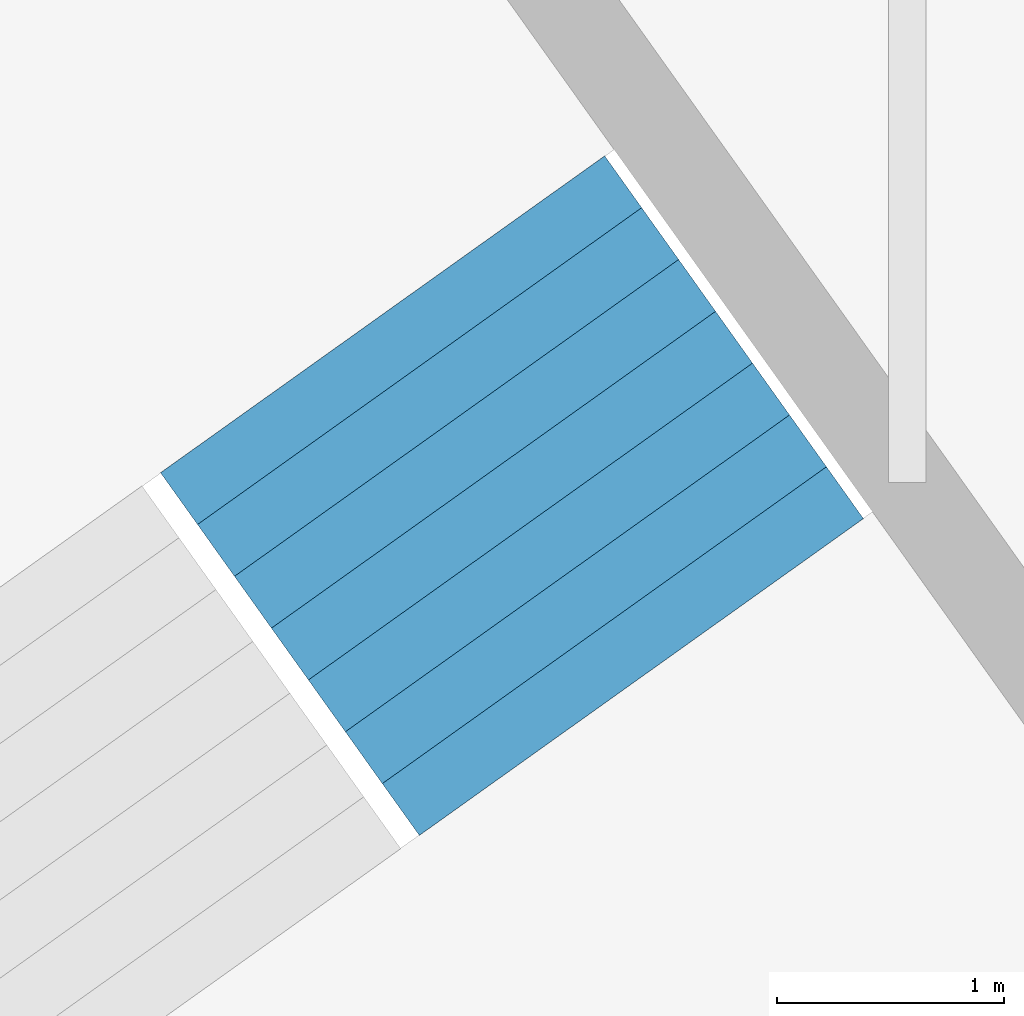
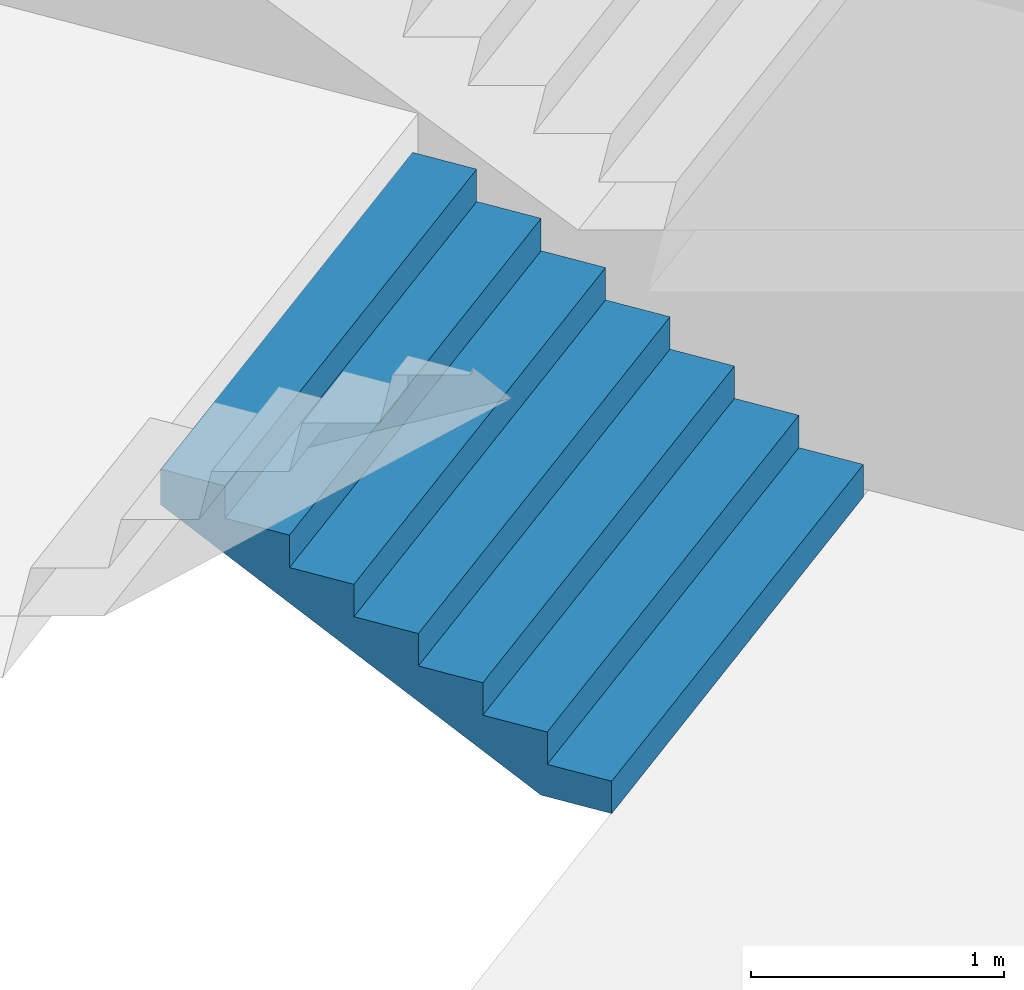
# One storey, part 43 of 73: 1 stair flight, 1 element without a shape of its own.
"""IFC4 building model written with IfcOpenShell, lengths in metres."""

from ifc_helpers import new_model, si_unit, direction, frame, origin, place, context, subcontext, project, spatial, triangles, material, type_object, element, aggregate, save


model = new_model("IFC4")

# Units and contexts
model_context = context("Model", 3, precision=1e-05, world=origin(), true_north=direction((0.0, 1.0)))
body_context = subcontext(model_context, "Body", "Model", "MODEL_VIEW")
ifc_project = project(units=[si_unit("LENGTHUNIT", "METRE"), si_unit("AREAUNIT", "SQUARE_METRE"), si_unit("VOLUMEUNIT", "CUBIC_METRE"), si_unit("PLANEANGLEUNIT", "RADIAN"), si_unit("MASSUNIT", "GRAM", prefix="KILO")], contexts=[model_context])

# Site, building, storey
site_placement = place(None, origin())
site = spatial("IfcSite", under=ifc_project, at=site_placement, CompositionType="ELEMENT")
building_placement = place(site_placement, origin())
building = spatial("IfcBuilding", under=site, at=building_placement, Name="Lantaw Convention Tower", CompositionType="ELEMENT")
storey_placement = place(building_placement, frame((0.0, 0.0, 22.0)))
storey = spatial("IfcBuildingStorey", under=building, at=storey_placement, Name="L03", CompositionType="ELEMENT", Elevation=22.0)

# Stair, stair flight
ifc_material = material(Name="Concrete C35/45", Category="concrete")
stair_type = type_object("IfcStairType", Name="Exit stair 2400 riser 156.25 in 4 flights", PredefinedType="HALF_TURN_STAIR", material=ifc_material)
stair_placement = place(storey_placement, origin())
stair = element("IfcStair", 1, at=stair_placement, inside=storey, type_object=stair_type, Name="Podium exit stair P6 L03", PredefinedType="HALF_TURN_STAIR")
stair_flight_type = type_object("IfcStairFlightType", Name="Stair flight 2400 riser 156.25", PredefinedType="STRAIGHT", material=ifc_material)
stair_flight_placement = place(storey_placement, frame((-16.97021484375, 25.944091796875, 0.0), z_axis=(0.0, 0.0, 1.0), x_axis=(-0.580702955711, 0.814115518356, 0.0)))
stair_flight = element("IfcStairFlight", 2, at=stair_flight_placement, type_object=stair_flight_type, Name="P6 flight 1", NumberOfRisers=8, NumberOfTreads=7, PredefinedType="STRAIGHT", RiserHeight=0.15625, TreadLength=0.28, context=body_context, shape_type="Tessellation", body=[
    triangles([(0.0, 1.199951171875, 0.0), (0.0, 1.199951171875, 0.15625), (0.28, 1.199951171875, 0.0), (0.28, 1.199951171875, 0.15625), (0.28, 1.199951171875, 0.3125), (0.3076200632058044, 1.199951171875, 0.0), (0.3076200632058044, 1.199951171875, 0.3125), (0.56, 1.199951171875, 0.14083701830033238), (0.56, 1.199951171875, 0.3125), (0.56, 1.199951171875, 0.46875), (0.8400000000000001, 1.199951171875, 0.29708701830033235), (0.8400000000000001, 1.199951171875, 0.46875), (0.8400000000000001, 1.199951171875, 0.625), (1.12, 1.199951171875, 0.45333701830033235), (1.12, 1.199951171875, 0.625), (1.12, 1.199951171875, 0.78125), (1.4000000000000001, 1.199951171875, 0.6095870183003324), (1.4000000000000001, 1.199951171875, 0.78125), (1.4000000000000001, 1.199951171875, 0.9375), (1.6800000000000002, 1.199951171875, 0.7658370183003324), (1.6800000000000002, 1.199951171875, 0.9375), (1.6800000000000002, 1.199951171875, 1.09375), (1.9600000000000002, 1.199951171875, 0.9220870183003324), (1.9600000000000002, 1.199951171875, 1.09375), (0.0, -1.199951171875, 0.0), (0.0, -1.199951171875, 0.15625), (0.28, -1.199951171875, 0.0), (0.28, -1.199951171875, 0.15625), (0.28, -1.199951171875, 0.3125), (0.3076200632058044, -1.199951171875, 0.0), (0.3076200632058044, -1.199951171875, 0.3125), (0.56, -1.199951171875, 0.14083701830033238), (0.56, -1.199951171875, 0.3125), (0.56, -1.199951171875, 0.46875), (0.8400000000000001, -1.199951171875, 0.29708701830033235), (0.8400000000000001, -1.199951171875, 0.46875), (0.8400000000000001, -1.199951171875, 0.625), (1.12, -1.199951171875, 0.45333701830033235), (1.12, -1.199951171875, 0.625), (1.12, -1.199951171875, 0.78125), (1.4000000000000001, -1.199951171875, 0.6095870183003324), (1.4000000000000001, -1.199951171875, 0.78125), (1.4000000000000001, -1.199951171875, 0.9375), (1.6800000000000002, -1.199951171875, 0.7658370183003324), (1.6800000000000002, -1.199951171875, 0.9375), (1.6800000000000002, -1.199951171875, 1.09375), (1.9600000000000002, -1.199951171875, 0.9220870183003324), (1.9600000000000002, -1.199951171875, 1.09375), (0.0, 0.239990234375, 0.15625), (0.0, 0.239990234375, 0.0), (0.0, 0.1919921875, 0.15625), (0.0, 0.1919921875, 0.0), (0.0, 0.143994140625, 0.15625), (0.0, 0.143994140625, 0.0), (0.0, 0.09599609375, 0.15625), (0.0, 0.09599609375, 0.0), (0.0, 0.047998046875, 0.15625), (0.0, 0.047998046875, 0.0), (0.0, 0.0, 0.15625), (0.0, 0.0, 0.0), (0.0, -0.047998046875, 0.15625), (0.0, -0.047998046875, 0.0), (0.0, -0.09599609375, 0.15625), (0.0, -0.09599609375, 0.0), (0.0, -0.143994140625, 0.15625), (0.0, -0.143994140625, 0.0), (0.0, -0.1919921875, 0.15625), (0.0, -0.1919921875, 0.0), (0.0, -0.239990234375, 0.15625), (0.0, -0.239990234375, 0.0), (0.28, 0.239990234375, 0.3125), (0.28, 0.239990234375, 0.15625), (0.28, 0.1919921875, 0.3125), (0.28, 0.1919921875, 0.15625), (0.28, 0.143994140625, 0.3125), (0.28, 0.143994140625, 0.15625), (0.28, 0.09599609375, 0.3125), (0.28, 0.09599609375, 0.15625), (0.28, 0.047998046875, 0.3125), (0.28, 0.047998046875, 0.15625), (0.28, 0.0, 0.3125), (0.28, 0.0, 0.15625), (0.28, -0.047998046875, 0.3125), (0.28, -0.047998046875, 0.15625), (0.28, -0.09599609375, 0.3125), (0.28, -0.09599609375, 0.15625), (0.28, -0.143994140625, 0.3125), (0.28, -0.143994140625, 0.15625), (0.28, -0.1919921875, 0.3125), (0.28, -0.1919921875, 0.15625), (0.28, -0.239990234375, 0.3125), (0.28, -0.239990234375, 0.15625), (0.56, 0.239990234375, 0.46875), (0.56, 0.239990234375, 0.3125), (0.56, 0.1919921875, 0.46875), (0.56, 0.1919921875, 0.3125), (0.56, 0.143994140625, 0.46875), (0.56, 0.143994140625, 0.3125), (0.56, 0.09599609375, 0.46875), (0.56, 0.09599609375, 0.3125), (0.56, 0.047998046875, 0.46875), (0.56, 0.047998046875, 0.3125), (0.56, 0.0, 0.46875), (0.56, 0.0, 0.3125), (0.56, -0.047998046875, 0.46875), (0.56, -0.047998046875, 0.3125), (0.56, -0.09599609375, 0.46875), (0.56, -0.09599609375, 0.3125), (0.56, -0.143994140625, 0.46875), (0.56, -0.143994140625, 0.3125), (0.56, -0.1919921875, 0.46875), (0.56, -0.1919921875, 0.3125), (0.56, -0.239990234375, 0.46875), (0.56, -0.239990234375, 0.3125), (0.8400000000000001, 0.239990234375, 0.625), (0.8400000000000001, 0.239990234375, 0.46875), (0.8400000000000001, 0.1919921875, 0.625), (0.8400000000000001, 0.1919921875, 0.46875), (0.8400000000000001, 0.143994140625, 0.625), (0.8400000000000001, 0.143994140625, 0.46875), (0.8400000000000001, 0.09599609375, 0.625), (0.8400000000000001, 0.09599609375, 0.46875), (0.8400000000000001, 0.047998046875, 0.625), (0.8400000000000001, 0.047998046875, 0.46875), (0.8400000000000001, 0.0, 0.625), (0.8400000000000001, 0.0, 0.46875), (0.8400000000000001, -0.047998046875, 0.625), (0.8400000000000001, -0.047998046875, 0.46875), (0.8400000000000001, -0.09599609375, 0.625), (0.8400000000000001, -0.09599609375, 0.46875), (0.8400000000000001, -0.143994140625, 0.625), (0.8400000000000001, -0.143994140625, 0.46875), (0.8400000000000001, -0.1919921875, 0.625), (0.8400000000000001, -0.1919921875, 0.46875), (0.8400000000000001, -0.239990234375, 0.625), (0.8400000000000001, -0.239990234375, 0.46875), (1.12, 0.239990234375, 0.78125), (1.12, 0.239990234375, 0.625), (1.12, 0.1919921875, 0.78125), (1.12, 0.1919921875, 0.625), (1.12, 0.143994140625, 0.78125), (1.12, 0.143994140625, 0.625), (1.12, 0.09599609375, 0.78125), (1.12, 0.09599609375, 0.625), (1.12, 0.047998046875, 0.78125), (1.12, 0.047998046875, 0.625), (1.12, 0.0, 0.78125), (1.12, 0.0, 0.625), (1.12, -0.047998046875, 0.78125), (1.12, -0.047998046875, 0.625), (1.12, -0.09599609375, 0.78125), (1.12, -0.09599609375, 0.625), (1.12, -0.143994140625, 0.78125), (1.12, -0.143994140625, 0.625), (1.12, -0.1919921875, 0.78125), (1.12, -0.1919921875, 0.625), (1.12, -0.239990234375, 0.78125), (1.12, -0.239990234375, 0.625), (1.4000000000000001, 0.239990234375, 0.9375), (1.4000000000000001, 0.239990234375, 0.78125), (1.4000000000000001, 0.1919921875, 0.9375), (1.4000000000000001, 0.1919921875, 0.78125), (1.4000000000000001, 0.143994140625, 0.9375), (1.4000000000000001, 0.143994140625, 0.78125), (1.4000000000000001, 0.09599609375, 0.9375), (1.4000000000000001, 0.09599609375, 0.78125), (1.4000000000000001, 0.047998046875, 0.9375), (1.4000000000000001, 0.047998046875, 0.78125), (1.4000000000000001, 0.0, 0.9375), (1.4000000000000001, 0.0, 0.78125), (1.4000000000000001, -0.047998046875, 0.9375), (1.4000000000000001, -0.047998046875, 0.78125), (1.4000000000000001, -0.09599609375, 0.9375), (1.4000000000000001, -0.09599609375, 0.78125), (1.4000000000000001, -0.143994140625, 0.9375), (1.4000000000000001, -0.143994140625, 0.78125), (1.4000000000000001, -0.1919921875, 0.9375), (1.4000000000000001, -0.1919921875, 0.78125), (1.4000000000000001, -0.239990234375, 0.9375), (1.4000000000000001, -0.239990234375, 0.78125), (1.6800000000000002, 0.239990234375, 1.09375), (1.6800000000000002, 0.239990234375, 0.9375), (1.6800000000000002, 0.1919921875, 1.09375), (1.6800000000000002, 0.1919921875, 0.9375), (1.6800000000000002, 0.143994140625, 1.09375), (1.6800000000000002, 0.143994140625, 0.9375), (1.6800000000000002, 0.09599609375, 1.09375), (1.6800000000000002, 0.09599609375, 0.9375), (1.6800000000000002, 0.047998046875, 1.09375), (1.6800000000000002, 0.047998046875, 0.9375), (1.6800000000000002, 0.0, 1.09375), (1.6800000000000002, 0.0, 0.9375), (1.6800000000000002, -0.047998046875, 1.09375), (1.6800000000000002, -0.047998046875, 0.9375), (1.6800000000000002, -0.09599609375, 1.09375), (1.6800000000000002, -0.09599609375, 0.9375), (1.6800000000000002, -0.143994140625, 1.09375), (1.6800000000000002, -0.143994140625, 0.9375), (1.6800000000000002, -0.1919921875, 1.09375), (1.6800000000000002, -0.1919921875, 0.9375), (1.6800000000000002, -0.239990234375, 1.09375), (1.6800000000000002, -0.239990234375, 0.9375), (0.3076200632058044, 0.239990234375, 0.3125), (0.3076200632058044, 0.1919921875, 0.3125), (0.3076200632058044, 0.143994140625, 0.3125), (0.3076200632058044, 0.09599609375, 0.3125), (0.3076200632058044, 0.047998046875, 0.3125), (0.3076200632058044, 0.0, 0.3125), (0.3076200632058044, -0.047998046875, 0.3125), (0.3076200632058044, -0.09599609375, 0.3125), (0.3076200632058044, -0.143994140625, 0.3125), (0.3076200632058044, -0.1919921875, 0.3125), (0.3076200632058044, -0.239990234375, 0.3125), (1.9600000000000002, 0.239990234375, 1.09375), (1.9600000000000002, 0.1919921875, 1.09375), (1.9600000000000002, 0.143994140625, 1.09375), (1.9600000000000002, 0.09599609375, 1.09375), (1.9600000000000002, 0.047998046875, 1.09375), (1.9600000000000002, 0.0, 1.09375), (1.9600000000000002, -0.047998046875, 1.09375), (1.9600000000000002, -0.09599609375, 1.09375), (1.9600000000000002, -0.143994140625, 1.09375), (1.9600000000000002, -0.1919921875, 1.09375), (1.9600000000000002, -0.239990234375, 1.09375), (1.9600000000000002, 0.239990234375, 0.9220870183003324), (1.9600000000000002, 0.1919921875, 0.9220870183003324), (1.9600000000000002, 0.143994140625, 0.9220870183003324), (1.9600000000000002, 0.09599609375, 0.9220870183003324), (1.9600000000000002, 0.047998046875, 0.9220870183003324), (1.9600000000000002, 0.0, 0.9220870183003324), (1.9600000000000002, -0.047998046875, 0.9220870183003324), (1.9600000000000002, -0.09599609375, 0.9220870183003324), (1.9600000000000002, -0.143994140625, 0.9220870183003324), (1.9600000000000002, -0.1919921875, 0.9220870183003324), (1.9600000000000002, -0.239990234375, 0.9220870183003324), (1.6800000000000002, 0.239990234375, 0.7658370183003324), (1.6800000000000002, 0.1919921875, 0.7658370183003324), (1.6800000000000002, 0.143994140625, 0.7658370183003324), (1.6800000000000002, 0.09599609375, 0.7658370183003324), (1.6800000000000002, 0.047998046875, 0.7658370183003324), (1.6800000000000002, 0.0, 0.7658370183003324), (1.6800000000000002, -0.047998046875, 0.7658370183003324), (1.6800000000000002, -0.09599609375, 0.7658370183003324), (1.6800000000000002, -0.143994140625, 0.7658370183003324), (1.6800000000000002, -0.1919921875, 0.7658370183003324), (1.6800000000000002, -0.239990234375, 0.7658370183003324), (1.4000000000000001, 0.239990234375, 0.6095870183003324), (1.4000000000000001, 0.1919921875, 0.6095870183003324), (1.4000000000000001, 0.143994140625, 0.6095870183003324), (1.4000000000000001, 0.09599609375, 0.6095870183003324), (1.4000000000000001, 0.047998046875, 0.6095870183003324), (1.4000000000000001, 0.0, 0.6095870183003324), (1.4000000000000001, -0.047998046875, 0.6095870183003324), (1.4000000000000001, -0.09599609375, 0.6095870183003324), (1.4000000000000001, -0.143994140625, 0.6095870183003324), (1.4000000000000001, -0.1919921875, 0.6095870183003324), (1.4000000000000001, -0.239990234375, 0.6095870183003324), (1.12, 0.239990234375, 0.45333701830033235), (1.12, 0.1919921875, 0.45333701830033235), (1.12, 0.143994140625, 0.45333701830033235), (1.12, 0.09599609375, 0.45333701830033235), (1.12, 0.047998046875, 0.45333701830033235), (1.12, 0.0, 0.45333701830033235), (1.12, -0.047998046875, 0.45333701830033235), (1.12, -0.09599609375, 0.45333701830033235), (1.12, -0.143994140625, 0.45333701830033235), (1.12, -0.1919921875, 0.45333701830033235), (1.12, -0.239990234375, 0.45333701830033235), (0.8400000000000001, 0.239990234375, 0.29708701830033235), (0.8400000000000001, 0.1919921875, 0.29708701830033235), (0.8400000000000001, 0.143994140625, 0.29708701830033235), (0.8400000000000001, 0.09599609375, 0.29708701830033235), (0.8400000000000001, 0.047998046875, 0.29708701830033235), (0.8400000000000001, 0.0, 0.29708701830033235), (0.8400000000000001, -0.047998046875, 0.29708701830033235), (0.8400000000000001, -0.09599609375, 0.29708701830033235), (0.8400000000000001, -0.143994140625, 0.29708701830033235), (0.8400000000000001, -0.1919921875, 0.29708701830033235), (0.8400000000000001, -0.239990234375, 0.29708701830033235), (0.56, 0.239990234375, 0.14083701830033238), (0.56, 0.1919921875, 0.14083701830033238), (0.56, 0.143994140625, 0.14083701830033238), (0.56, 0.09599609375, 0.14083701830033238), (0.56, 0.047998046875, 0.14083701830033238), (0.56, 0.0, 0.14083701830033238), (0.56, -0.047998046875, 0.14083701830033238), (0.56, -0.09599609375, 0.14083701830033238), (0.56, -0.143994140625, 0.14083701830033238), (0.56, -0.1919921875, 0.14083701830033238), (0.56, -0.239990234375, 0.14083701830033238), (0.3076200632058044, 0.239990234375, 0.0), (0.3076200632058044, 0.1919921875, 0.0), (0.3076200632058044, 0.143994140625, 0.0), (0.3076200632058044, 0.09599609375, 0.0), (0.3076200632058044, 0.047998046875, 0.0), (0.3076200632058044, 0.0, 0.0), (0.3076200632058044, -0.047998046875, 0.0), (0.3076200632058044, -0.09599609375, 0.0), (0.3076200632058044, -0.143994140625, 0.0), (0.3076200632058044, -0.1919921875, 0.0), (0.3076200632058044, -0.239990234375, 0.0), (0.28, 0.239990234375, 0.0), (0.28, 0.1919921875, 0.0), (0.28, 0.143994140625, 0.0), (0.28, 0.09599609375, 0.0), (0.28, 0.047998046875, 0.0), (0.28, 0.0, 0.0), (0.28, -0.047998046875, 0.0), (0.28, -0.09599609375, 0.0), (0.28, -0.143994140625, 0.0), (0.28, -0.1919921875, 0.0), (0.28, -0.239990234375, 0.0)], [[1, 4, 3], [1, 2, 4], [3, 4, 6], [4, 7, 6], [4, 5, 7], [6, 9, 8], [6, 7, 9], [8, 9, 11], [9, 12, 11], [9, 10, 12], [11, 12, 14], [12, 15, 14], [12, 13, 15], [14, 15, 17], [15, 18, 17], [15, 16, 18], [17, 18, 20], [18, 21, 20], [18, 19, 21], [20, 21, 23], [21, 24, 23], [21, 22, 24], [25, 27, 28], [25, 28, 26], [27, 30, 28], [28, 30, 31], [28, 31, 29], [30, 32, 33], [30, 33, 31], [32, 35, 33], [33, 35, 36], [33, 36, 34], [35, 38, 36], [36, 38, 39], [36, 39, 37], [38, 41, 39], [39, 41, 42], [39, 42, 40], [41, 44, 42], [42, 44, 45], [42, 45, 43], [44, 47, 45], [45, 47, 48], [45, 48, 46], [1, 49, 2], [1, 50, 49], [50, 51, 49], [50, 52, 51], [52, 53, 51], [52, 54, 53], [54, 55, 53], [54, 56, 55], [56, 57, 55], [56, 58, 57], [58, 59, 57], [58, 60, 59], [60, 61, 59], [60, 62, 61], [62, 63, 61], [62, 64, 63], [64, 65, 63], [64, 66, 65], [66, 67, 65], [66, 68, 67], [68, 69, 67], [68, 70, 69], [70, 26, 69], [70, 25, 26], [4, 71, 5], [4, 72, 71], [72, 73, 71], [72, 74, 73], [74, 75, 73], [74, 76, 75], [76, 77, 75], [76, 78, 77], [78, 79, 77], [78, 80, 79], [80, 81, 79], [80, 82, 81], [82, 83, 81], [82, 84, 83], [84, 85, 83], [84, 86, 85], [86, 87, 85], [86, 88, 87], [88, 89, 87], [88, 90, 89], [90, 91, 89], [90, 92, 91], [92, 29, 91], [92, 28, 29], [9, 93, 10], [9, 94, 93], [94, 95, 93], [94, 96, 95], [96, 97, 95], [96, 98, 97], [98, 99, 97], [98, 100, 99], [100, 101, 99], [100, 102, 101], [102, 103, 101], [102, 104, 103], [104, 105, 103], [104, 106, 105], [106, 107, 105], [106, 108, 107], [108, 109, 107], [108, 110, 109], [110, 111, 109], [110, 112, 111], [112, 113, 111], [112, 114, 113], [114, 34, 113], [114, 33, 34], [12, 115, 13], [12, 116, 115], [116, 117, 115], [116, 118, 117], [118, 119, 117], [118, 120, 119], [120, 121, 119], [120, 122, 121], [122, 123, 121], [122, 124, 123], [124, 125, 123], [124, 126, 125], [126, 127, 125], [126, 128, 127], [128, 129, 127], [128, 130, 129], [130, 131, 129], [130, 132, 131], [132, 133, 131], [132, 134, 133], [134, 135, 133], [134, 136, 135], [136, 37, 135], [136, 36, 37], [15, 137, 16], [15, 138, 137], [138, 139, 137], [138, 140, 139], [140, 141, 139], [140, 142, 141], [142, 143, 141], [142, 144, 143], [144, 145, 143], [144, 146, 145], [146, 147, 145], [146, 148, 147], [148, 149, 147], [148, 150, 149], [150, 151, 149], [150, 152, 151], [152, 153, 151], [152, 154, 153], [154, 155, 153], [154, 156, 155], [156, 157, 155], [156, 158, 157], [158, 40, 157], [158, 39, 40], [18, 159, 19], [18, 160, 159], [160, 161, 159], [160, 162, 161], [162, 163, 161], [162, 164, 163], [164, 165, 163], [164, 166, 165], [166, 167, 165], [166, 168, 167], [168, 169, 167], [168, 170, 169], [170, 171, 169], [170, 172, 171], [172, 173, 171], [172, 174, 173], [174, 175, 173], [174, 176, 175], [176, 177, 175], [176, 178, 177], [178, 179, 177], [178, 180, 179], [180, 43, 179], [180, 42, 43], [21, 181, 22], [21, 182, 181], [182, 183, 181], [182, 184, 183], [184, 185, 183], [184, 186, 185], [186, 187, 185], [186, 188, 187], [188, 189, 187], [188, 190, 189], [190, 191, 189], [190, 192, 191], [192, 193, 191], [192, 194, 193], [194, 195, 193], [194, 196, 195], [196, 197, 195], [196, 198, 197], [198, 199, 197], [198, 200, 199], [200, 201, 199], [200, 202, 201], [202, 46, 201], [202, 45, 46], [2, 72, 4], [2, 49, 72], [49, 74, 72], [49, 51, 74], [51, 76, 74], [51, 53, 76], [53, 78, 76], [53, 55, 78], [55, 80, 78], [55, 57, 80], [57, 82, 80], [57, 59, 82], [59, 84, 82], [59, 61, 84], [61, 86, 84], [61, 63, 86], [63, 88, 86], [63, 65, 88], [65, 90, 88], [65, 67, 90], [67, 92, 90], [67, 69, 92], [69, 28, 92], [69, 26, 28], [5, 203, 7], [5, 71, 203], [71, 204, 203], [71, 73, 204], [73, 205, 204], [73, 75, 205], [75, 206, 205], [75, 77, 206], [77, 207, 206], [77, 79, 207], [79, 208, 207], [79, 81, 208], [81, 209, 208], [81, 83, 209], [83, 210, 209], [83, 85, 210], [85, 211, 210], [85, 87, 211], [87, 212, 211], [87, 89, 212], [89, 213, 212], [89, 91, 213], [91, 31, 213], [91, 29, 31], [7, 94, 9], [7, 203, 94], [203, 96, 94], [203, 204, 96], [204, 98, 96], [204, 205, 98], [205, 100, 98], [205, 206, 100], [206, 102, 100], [206, 207, 102], [207, 104, 102], [207, 208, 104], [208, 106, 104], [208, 209, 106], [209, 108, 106], [209, 210, 108], [210, 110, 108], [210, 211, 110], [211, 112, 110], [211, 212, 112], [212, 114, 112], [212, 213, 114], [213, 33, 114], [213, 31, 33], [10, 116, 12], [10, 93, 116], [93, 118, 116], [93, 95, 118], [95, 120, 118], [95, 97, 120], [97, 122, 120], [97, 99, 122], [99, 124, 122], [99, 101, 124], [101, 126, 124], [101, 103, 126], [103, 128, 126], [103, 105, 128], [105, 130, 128], [105, 107, 130], [107, 132, 130], [107, 109, 132], [109, 134, 132], [109, 111, 134], [111, 136, 134], [111, 113, 136], [113, 36, 136], [113, 34, 36], [13, 138, 15], [13, 115, 138], [115, 140, 138], [115, 117, 140], [117, 142, 140], [117, 119, 142], [119, 144, 142], [119, 121, 144], [121, 146, 144], [121, 123, 146], [123, 148, 146], [123, 125, 148], [125, 150, 148], [125, 127, 150], [127, 152, 150], [127, 129, 152], [129, 154, 152], [129, 131, 154], [131, 156, 154], [131, 133, 156], [133, 158, 156], [133, 135, 158], [135, 39, 158], [135, 37, 39], [16, 160, 18], [16, 137, 160], [137, 162, 160], [137, 139, 162], [139, 164, 162], [139, 141, 164], [141, 166, 164], [141, 143, 166], [143, 168, 166], [143, 145, 168], [145, 170, 168], [145, 147, 170], [147, 172, 170], [147, 149, 172], [149, 174, 172], [149, 151, 174], [151, 176, 174], [151, 153, 176], [153, 178, 176], [153, 155, 178], [155, 180, 178], [155, 157, 180], [157, 42, 180], [157, 40, 42], [19, 182, 21], [19, 159, 182], [159, 184, 182], [159, 161, 184], [161, 186, 184], [161, 163, 186], [163, 188, 186], [163, 165, 188], [165, 190, 188], [165, 167, 190], [167, 192, 190], [167, 169, 192], [169, 194, 192], [169, 171, 194], [171, 196, 194], [171, 173, 196], [173, 198, 196], [173, 175, 198], [175, 200, 198], [175, 177, 200], [177, 202, 200], [177, 179, 202], [179, 45, 202], [179, 43, 45], [22, 214, 24], [22, 181, 214], [181, 215, 214], [181, 183, 215], [183, 216, 215], [183, 185, 216], [185, 217, 216], [185, 187, 217], [187, 218, 217], [187, 189, 218], [189, 219, 218], [189, 191, 219], [191, 220, 219], [191, 193, 220], [193, 221, 220], [193, 195, 221], [195, 222, 221], [195, 197, 222], [197, 223, 222], [197, 199, 223], [199, 224, 223], [199, 201, 224], [201, 48, 224], [201, 46, 48], [24, 225, 23], [24, 214, 225], [214, 226, 225], [214, 215, 226], [215, 227, 226], [215, 216, 227], [216, 228, 227], [216, 217, 228], [217, 229, 228], [217, 218, 229], [218, 230, 229], [218, 219, 230], [219, 231, 230], [219, 220, 231], [220, 232, 231], [220, 221, 232], [221, 233, 232], [221, 222, 233], [222, 234, 233], [222, 223, 234], [223, 235, 234], [223, 224, 235], [224, 47, 235], [224, 48, 47], [23, 236, 20], [23, 225, 236], [225, 237, 236], [225, 226, 237], [226, 238, 237], [226, 227, 238], [227, 239, 238], [227, 228, 239], [228, 240, 239], [228, 229, 240], [229, 241, 240], [229, 230, 241], [230, 242, 241], [230, 231, 242], [231, 243, 242], [231, 232, 243], [232, 244, 243], [232, 233, 244], [233, 245, 244], [233, 234, 245], [234, 246, 245], [234, 235, 246], [235, 44, 246], [235, 47, 44], [20, 247, 17], [20, 236, 247], [236, 248, 247], [236, 237, 248], [237, 249, 248], [237, 238, 249], [238, 250, 249], [238, 239, 250], [239, 251, 250], [239, 240, 251], [240, 252, 251], [240, 241, 252], [241, 253, 252], [241, 242, 253], [242, 254, 253], [242, 243, 254], [243, 255, 254], [243, 244, 255], [244, 256, 255], [244, 245, 256], [245, 257, 256], [245, 246, 257], [246, 41, 257], [246, 44, 41], [17, 258, 14], [17, 247, 258], [247, 259, 258], [247, 248, 259], [248, 260, 259], [248, 249, 260], [249, 261, 260], [249, 250, 261], [250, 262, 261], [250, 251, 262], [251, 263, 262], [251, 252, 263], [252, 264, 263], [252, 253, 264], [253, 265, 264], [253, 254, 265], [254, 266, 265], [254, 255, 266], [255, 267, 266], [255, 256, 267], [256, 268, 267], [256, 257, 268], [257, 38, 268], [257, 41, 38], [14, 269, 11], [14, 258, 269], [258, 270, 269], [258, 259, 270], [259, 271, 270], [259, 260, 271], [260, 272, 271], [260, 261, 272], [261, 273, 272], [261, 262, 273], [262, 274, 273], [262, 263, 274], [263, 275, 274], [263, 264, 275], [264, 276, 275], [264, 265, 276], [265, 277, 276], [265, 266, 277], [266, 278, 277], [266, 267, 278], [267, 279, 278], [267, 268, 279], [268, 35, 279], [268, 38, 35], [11, 280, 8], [11, 269, 280], [269, 281, 280], [269, 270, 281], [270, 282, 281], [270, 271, 282], [271, 283, 282], [271, 272, 283], [272, 284, 283], [272, 273, 284], [273, 285, 284], [273, 274, 285], [274, 286, 285], [274, 275, 286], [275, 287, 286], [275, 276, 287], [276, 288, 287], [276, 277, 288], [277, 289, 288], [277, 278, 289], [278, 290, 289], [278, 279, 290], [279, 32, 290], [279, 35, 32], [8, 291, 6], [8, 280, 291], [280, 292, 291], [280, 281, 292], [281, 293, 292], [281, 282, 293], [282, 294, 293], [282, 283, 294], [283, 295, 294], [283, 284, 295], [284, 296, 295], [284, 285, 296], [285, 297, 296], [285, 286, 297], [286, 298, 297], [286, 287, 298], [287, 299, 298], [287, 288, 299], [288, 300, 299], [288, 289, 300], [289, 301, 300], [289, 290, 301], [290, 30, 301], [290, 32, 30], [6, 302, 3], [6, 291, 302], [291, 303, 302], [291, 292, 303], [292, 304, 303], [292, 293, 304], [293, 305, 304], [293, 294, 305], [294, 306, 305], [294, 295, 306], [295, 307, 306], [295, 296, 307], [296, 308, 307], [296, 297, 308], [297, 309, 308], [297, 298, 309], [298, 310, 309], [298, 299, 310], [299, 311, 310], [299, 300, 311], [300, 312, 311], [300, 301, 312], [301, 27, 312], [301, 30, 27], [3, 50, 1], [3, 302, 50], [302, 52, 50], [302, 303, 52], [303, 54, 52], [303, 304, 54], [304, 56, 54], [304, 305, 56], [305, 58, 56], [305, 306, 58], [306, 60, 58], [306, 307, 60], [307, 62, 60], [307, 308, 62], [308, 64, 62], [308, 309, 64], [309, 66, 64], [309, 310, 66], [310, 68, 66], [310, 311, 68], [311, 70, 68], [311, 312, 70], [312, 25, 70], [312, 27, 25]], closed=True),
])
aggregate(stair, [stair_flight])

save(model, "model.ifc")
